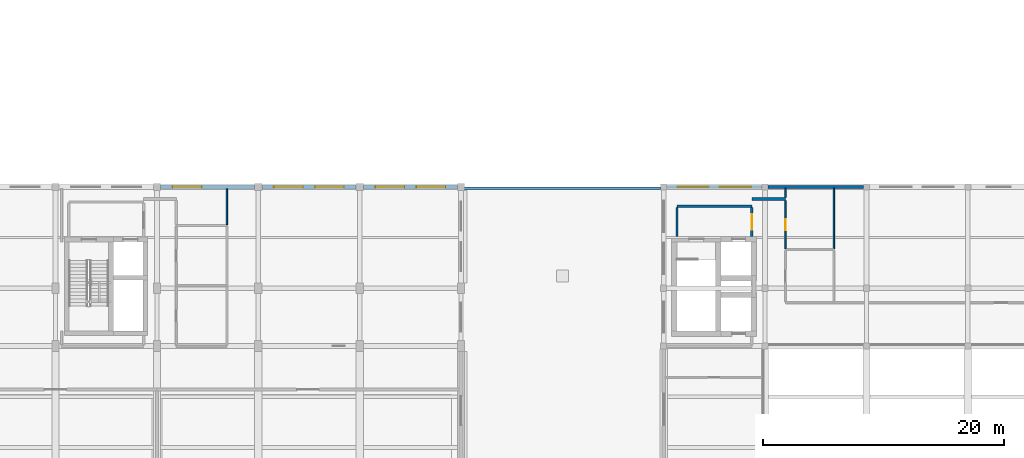
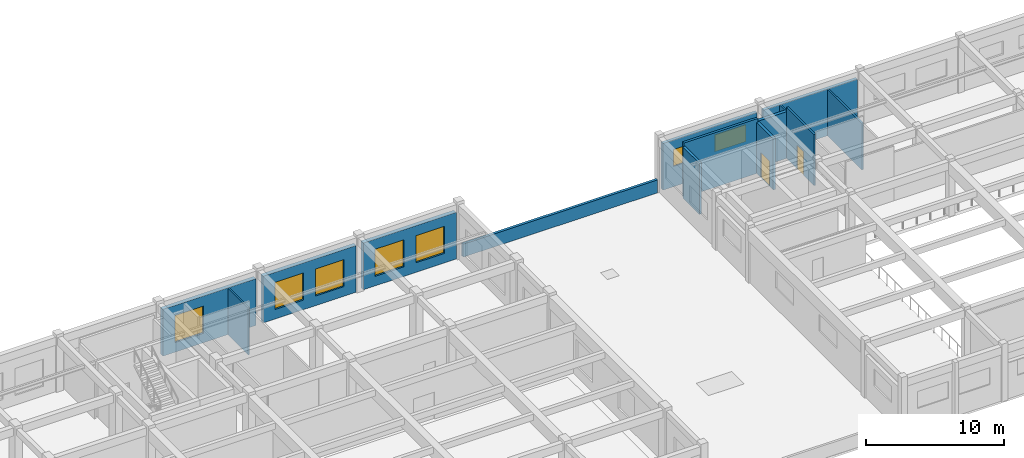
# One storey, part 61 of 77: 14 walls, 7 windows, 2 doors, 9 openings.
"""IFC4 building model written with IfcOpenShell, lengths in metres."""

from ifc_helpers import new_model, si_unit, direction, frame, frame_2d, origin, place, context, subcontext, project, spatial, rectangle, extrude, material, layer, layer_set, type_object, element, fill, save


model = new_model("IFC4")

# Units and contexts
model_context = context("Model", 3, precision=1e-05, world=origin(), true_north=direction((0.0, 1.0)))
body_context = subcontext(model_context, "Body", "Model", "MODEL_VIEW")
ifc_project = project(units=[si_unit("LENGTHUNIT", "METRE"), si_unit("AREAUNIT", "SQUARE_METRE"), si_unit("VOLUMEUNIT", "CUBIC_METRE"), si_unit("PLANEANGLEUNIT", "RADIAN"), si_unit("MASSUNIT", "GRAM", prefix="KILO")], contexts=[model_context])

# Site, building, storey
site_placement = place(None, origin())
site = spatial("IfcSite", under=ifc_project, at=site_placement, CompositionType="ELEMENT")
building_placement = place(site_placement, origin())
building = spatial("IfcBuilding", under=site, at=building_placement, Name="Krzemoval Escarpment Law Courts", CompositionType="ELEMENT")
storey_placement = place(building_placement, frame((0.0, 0.0, 15.300048828125)))
storey = spatial("IfcBuildingStorey", under=building, at=storey_placement, Name="L03", CompositionType="ELEMENT", Elevation=15.300048828125)

# Wall, openings, windows
ifc_material_1 = material(Name="Precast concrete C40/50", Category="concrete")
ifc_layer_1 = layer(ifc_material_1, 0.260009765625)
ifc_layer_set_1 = layer_set([ifc_layer_1], Name="Precast concrete C40/50")
wall_type_1 = type_object("IfcWallType", Name="WL-EXT-260", PredefinedType="SOLIDWALL", material=ifc_layer_set_1)
wall_1_placement = place(storey_placement, frame((109.449951171875, 35.39990234375, 0.0), z_axis=(0.0, 0.0, 1.0), x_axis=(1.0, 0.0, 0.0)))
wall_1 = element("IfcWall", 1, at=wall_1_placement, inside=storey, type_object=wall_type_1, Name="Exterior Wall EW-L03-0373", PredefinedType="SOLIDWALL", context=body_context, shape_type="SweptSolid", body=[
    extrude(rectangle(XDim=7.900146484375, YDim=0.260009765625, at=frame_2d((3.9501953125, 0.0))), origin(), (0.0, 0.0, 1.0), 4.139892578125),
])
opening_1_placement = place(wall_1_placement, frame((0.89990234375, 0.0, 1.800048828125)))
opening_1 = element("IfcOpeningElement", 2, at=opening_1_placement, cuts=wall_1, Name="Opening WN-L03-0428", PredefinedType="OPENING", context=body_context, shape_type="SweptSolid", body=[
    extrude(rectangle(XDim=2.60009765625, YDim=1.5, at=frame_2d((1.300048828125, 0.75))), frame((0.0, 0.145, 0.0), z_axis=(0.0, -1.0, 0.0), x_axis=(1.0, 0.0, 0.0)), (0.0, 0.0, 1.0), 0.29001),
])
opening_2_placement = place(wall_1_placement, frame((4.39990234375, 0.0, 1.800048828125)))
opening_2 = element("IfcOpeningElement", 3, at=opening_2_placement, cuts=wall_1, Name="Opening WN-L03-0429", PredefinedType="OPENING", context=body_context, shape_type="SweptSolid", body=[
    extrude(rectangle(XDim=2.60009765625, YDim=1.5, at=frame_2d((1.300048828125, 0.75))), frame((0.0, 0.145, 0.0), z_axis=(0.0, -1.0, 0.0), x_axis=(1.0, 0.0, 0.0)), (0.0, 0.0, 1.0), 0.29001),
])
ifc_material_2 = material(Name="Thermally Broken Aluminium Frame with Triple Low-E Acoustic Glass", Category="aluminium")
window_type_1 = type_object("IfcWindowType", Name="WN-2600x1500", PartitioningType="SINGLE_PANEL", PredefinedType="WINDOW", material=ifc_material_2)
window_1_placement = place(opening_1_placement, origin())
window_1 = element("IfcWindow", 4, at=window_1_placement, inside=storey, type_object=window_type_1, Name="Facade Window WN-L03-0428", OverallHeight=1.5, OverallWidth=2.60009765625, PartitioningType="SINGLE_PANEL", PredefinedType="WINDOW", context=body_context, shape_type="SweptSolid", body=[
    extrude(rectangle(XDim=2.60009765625, YDim=1.5, at=frame_2d((1.300048828125, 0.75))), frame((0.0, 0.030029296875, 0.0), z_axis=(0.0, -1.0, 0.0), x_axis=(1.0, 0.0, 0.0)), (0.0, 0.0, 1.0), 0.06005859375),
])
fill(opening_1, window_1)
window_2_placement = place(opening_2_placement, origin())
window_2 = element("IfcWindow", 5, at=window_2_placement, inside=storey, type_object=window_type_1, Name="Facade Window WN-L03-0429", OverallHeight=1.5, OverallWidth=2.60009765625, PartitioningType="SINGLE_PANEL", PredefinedType="WINDOW", context=body_context, shape_type="SweptSolid", body=[
    extrude(rectangle(XDim=2.60009765625, YDim=1.5, at=frame_2d((1.300048828125, 0.75))), frame((0.0, 0.030029296875, 0.0), z_axis=(0.0, -1.0, 0.0), x_axis=(1.0, 0.0, 0.0)), (0.0, 0.0, 1.0), 0.06005859375),
])
fill(opening_2, window_2)

# Wall
wall_2_placement = place(storey_placement, frame((117.85009765625, 35.39990234375, 0.0), z_axis=(0.0, 0.0, 1.0), x_axis=(1.0, 0.0, 0.0)))
element("IfcWall", 6, at=wall_2_placement, inside=storey, type_object=wall_type_1, Name="Exterior Wall EW-L03-0374", PredefinedType="SOLIDWALL", context=body_context, shape_type="SweptSolid", body=[
    extrude(rectangle(XDim=7.89990234375, YDim=0.260009765625, at=frame_2d((3.949951171875, 0.0))), origin(), (0.0, 0.0, 1.0), 4.139892578125),
])

# Wall, opening, window
ifc_material_3 = material(Name="Precast concrete C40/50", Category="concrete")
ifc_layer_2 = layer(ifc_material_3, 0.340087890625)
ifc_layer_set_2 = layer_set([ifc_layer_2], Name="Precast concrete C40/50")
wall_type_2 = type_object("IfcWallType", Name="WL-EXT-340", PredefinedType="SOLIDWALL", material=ifc_layer_set_2)
wall_3_placement = place(storey_placement, frame((67.5, 35.39990234375, 0.0), z_axis=(0.0, 0.0, 1.0), x_axis=(1.0, 0.0, 0.0)))
wall_3 = element("IfcWall", 7, at=wall_3_placement, inside=storey, type_object=wall_type_2, Name="Exterior Wall EW-L03-0338", PredefinedType="SOLIDWALL", context=body_context, shape_type="SweptSolid", body=[
    extrude(rectangle(XDim=7.800048828125, YDim=0.340087890625, at=frame_2d((3.89990234375, 0.0))), origin(), (0.0, 0.0, 1.0), 4.139892578125),
])
opening_3_placement = place(wall_3_placement, frame((1.0, 0.0, 0.85009765625)))
opening_3 = element("IfcOpeningElement", 8, at=opening_3_placement, cuts=wall_3, Name="Opening WN-L03-0371", PredefinedType="OPENING", context=body_context, shape_type="SweptSolid", body=[
    extrude(rectangle(XDim=2.39990234375, YDim=2.39990234375, at=frame_2d((1.199951171875, 1.199951171875))), frame((0.0, 0.18504, 0.0), z_axis=(0.0, -1.0, 0.0), x_axis=(1.0, 0.0, 0.0)), (0.0, 0.0, 1.0), 0.37009),
])
ifc_material_4 = material(Name="Thermally Broken Aluminium Frame with Triple Low-E Acoustic Glass", Category="aluminium")
window_type_2 = type_object("IfcWindowType", Name="WN-2400x2400", PartitioningType="SINGLE_PANEL", PredefinedType="WINDOW", material=ifc_material_4)
window_3_placement = place(opening_3_placement, origin())
window_3 = element("IfcWindow", 9, at=window_3_placement, inside=storey, type_object=window_type_2, Name="Facade Window WN-L03-0371", OverallHeight=2.39990234375, OverallWidth=2.39990234375, PartitioningType="SINGLE_PANEL", PredefinedType="WINDOW", context=body_context, shape_type="SweptSolid", body=[
    extrude(rectangle(XDim=2.39990234375, YDim=2.39990234375, at=frame_2d((1.199951171875, 1.199951171875))), frame((0.0, 0.030029296875, 0.0), z_axis=(0.0, -1.0, 0.0), x_axis=(1.0, 0.0, 0.0)), (0.0, 0.0, 1.0), 0.06005859375),
])
fill(opening_3, window_3)

# Wall, openings, windows
wall_4_placement = place(storey_placement, frame((75.89990234375, 35.39990234375, 0.0), z_axis=(0.0, 0.0, 1.0), x_axis=(1.0, 0.0, 0.0)))
wall_4 = element("IfcWall", 10, at=wall_4_placement, inside=storey, type_object=wall_type_2, Name="Exterior Wall EW-L03-0339", PredefinedType="SOLIDWALL", context=body_context, shape_type="SweptSolid", body=[
    extrude(rectangle(XDim=7.800048828125, YDim=0.340087890625, at=frame_2d((3.89990234375, 0.0))), origin(), (0.0, 0.0, 1.0), 4.139892578125),
])
opening_4_placement = place(wall_4_placement, frame((1.0, 0.0, 0.85009765625)))
opening_4 = element("IfcOpeningElement", 11, at=opening_4_placement, cuts=wall_4, Name="Opening WN-L03-0372", PredefinedType="OPENING", context=body_context, shape_type="SweptSolid", body=[
    extrude(rectangle(XDim=2.39990234375, YDim=2.39990234375, at=frame_2d((1.199951171875, 1.199951171875))), frame((0.0, 0.18504, 0.0), z_axis=(0.0, -1.0, 0.0), x_axis=(1.0, 0.0, 0.0)), (0.0, 0.0, 1.0), 0.37009),
])
opening_5_placement = place(wall_4_placement, frame((4.39990234375, 0.0, 0.85009765625)))
opening_5 = element("IfcOpeningElement", 12, at=opening_5_placement, cuts=wall_4, Name="Opening WN-L03-0373", PredefinedType="OPENING", context=body_context, shape_type="SweptSolid", body=[
    extrude(rectangle(XDim=2.39990234375, YDim=2.39990234375, at=frame_2d((1.199951171875, 1.199951171875))), frame((0.0, 0.18504, 0.0), z_axis=(0.0, -1.0, 0.0), x_axis=(1.0, 0.0, 0.0)), (0.0, 0.0, 1.0), 0.37009),
])
window_4_placement = place(opening_4_placement, origin())
window_4 = element("IfcWindow", 13, at=window_4_placement, inside=storey, type_object=window_type_2, Name="Facade Window WN-L03-0372", OverallHeight=2.39990234375, OverallWidth=2.39990234375, PartitioningType="SINGLE_PANEL", PredefinedType="WINDOW", context=body_context, shape_type="SweptSolid", body=[
    extrude(rectangle(XDim=2.39990234375, YDim=2.39990234375, at=frame_2d((1.199951171875, 1.199951171875))), frame((0.0, 0.030029296875, 0.0), z_axis=(0.0, -1.0, 0.0), x_axis=(1.0, 0.0, 0.0)), (0.0, 0.0, 1.0), 0.06005859375),
])
fill(opening_4, window_4)
window_5_placement = place(opening_5_placement, origin())
window_5 = element("IfcWindow", 14, at=window_5_placement, inside=storey, type_object=window_type_2, Name="Facade Window WN-L03-0373", OverallHeight=2.39990234375, OverallWidth=2.39990234375, PartitioningType="SINGLE_PANEL", PredefinedType="WINDOW", context=body_context, shape_type="SweptSolid", body=[
    extrude(rectangle(XDim=2.39990234375, YDim=2.39990234375, at=frame_2d((1.199951171875, 1.199951171875))), frame((0.0, 0.030029296875, 0.0), z_axis=(0.0, -1.0, 0.0), x_axis=(1.0, 0.0, 0.0)), (0.0, 0.0, 1.0), 0.06005859375),
])
fill(opening_5, window_5)

wall_5_placement = place(storey_placement, frame((84.300048828125, 35.39990234375, 0.0), z_axis=(0.0, 0.0, 1.0), x_axis=(1.0, 0.0, 0.0)))
wall_5 = element("IfcWall", 15, at=wall_5_placement, inside=storey, type_object=wall_type_2, Name="Exterior Wall EW-L03-0340", PredefinedType="SOLIDWALL", context=body_context, shape_type="SweptSolid", body=[
    extrude(rectangle(XDim=7.800048828125, YDim=0.340087890625, at=frame_2d((3.89990234375, 0.0))), origin(), (0.0, 0.0, 1.0), 4.139892578125),
])
opening_6_placement = place(wall_5_placement, frame((1.0, 0.0, 0.85009765625)))
opening_6 = element("IfcOpeningElement", 16, at=opening_6_placement, cuts=wall_5, Name="Opening WN-L03-0374", PredefinedType="OPENING", context=body_context, shape_type="SweptSolid", body=[
    extrude(rectangle(XDim=2.39990234375, YDim=2.39990234375, at=frame_2d((1.199951171875, 1.199951171875))), frame((0.0, 0.18504, 0.0), z_axis=(0.0, -1.0, 0.0), x_axis=(1.0, 0.0, 0.0)), (0.0, 0.0, 1.0), 0.37009),
])
opening_7_placement = place(wall_5_placement, frame((4.39990234375, 0.0, 0.85009765625)))
opening_7 = element("IfcOpeningElement", 17, at=opening_7_placement, cuts=wall_5, Name="Opening WN-L03-0375", PredefinedType="OPENING", context=body_context, shape_type="SweptSolid", body=[
    extrude(rectangle(XDim=2.39990234375, YDim=2.39990234375, at=frame_2d((1.199951171875, 1.199951171875))), frame((0.0, 0.18504, 0.0), z_axis=(0.0, -1.0, 0.0), x_axis=(1.0, 0.0, 0.0)), (0.0, 0.0, 1.0), 0.37009),
])
window_6_placement = place(opening_6_placement, origin())
window_6 = element("IfcWindow", 18, at=window_6_placement, inside=storey, type_object=window_type_2, Name="Facade Window WN-L03-0374", OverallHeight=2.39990234375, OverallWidth=2.39990234375, PartitioningType="SINGLE_PANEL", PredefinedType="WINDOW", context=body_context, shape_type="SweptSolid", body=[
    extrude(rectangle(XDim=2.39990234375, YDim=2.39990234375, at=frame_2d((1.199951171875, 1.199951171875))), frame((0.0, 0.030029296875, 0.0), z_axis=(0.0, -1.0, 0.0), x_axis=(1.0, 0.0, 0.0)), (0.0, 0.0, 1.0), 0.06005859375),
])
fill(opening_6, window_6)
window_7_placement = place(opening_7_placement, origin())
window_7 = element("IfcWindow", 19, at=window_7_placement, inside=storey, type_object=window_type_2, Name="Facade Window WN-L03-0375", OverallHeight=2.39990234375, OverallWidth=2.39990234375, PartitioningType="SINGLE_PANEL", PredefinedType="WINDOW", context=body_context, shape_type="SweptSolid", body=[
    extrude(rectangle(XDim=2.39990234375, YDim=2.39990234375, at=frame_2d((1.199951171875, 1.199951171875))), frame((0.0, 0.030029296875, 0.0), z_axis=(0.0, -1.0, 0.0), x_axis=(1.0, 0.0, 0.0)), (0.0, 0.0, 1.0), 0.06005859375),
])
fill(opening_7, window_7)

# Walls
ifc_material_5 = material(Name="Precast concrete C40/50", Category="concrete")
ifc_layer_3 = layer(ifc_material_5, 0.219970703125)
ifc_layer_set_3 = layer_set([ifc_layer_3], Name="Precast concrete C40/50")
wall_type_3 = type_object("IfcWallType", Name="WL-PAR-220", PredefinedType="PARAPET", material=ifc_layer_set_3)
wall_6_placement = place(storey_placement, frame((108.949951171875, 35.2900390625, 0.0), z_axis=(0.0, 0.0, 1.0), x_axis=(-1.0, 0.0, 0.0)))
element("IfcWall", 20, at=wall_6_placement, inside=storey, type_object=wall_type_3, Name="Roof Parapet PR-L03-018", PredefinedType="PARAPET", context=body_context, shape_type="SweptSolid", body=[
    extrude(rectangle(XDim=16.300048828125, YDim=0.219970703125, at=frame_2d((8.14990234375, 0.0))), origin(), (0.0, 0.0, 1.0), 1.14990234375),
])
ifc_material_6 = material(Name="Light Internal Subdivision Partition", Category="gypsum")
ifc_layer_4 = layer(ifc_material_6, 0.114990234375)
ifc_layer_set_4 = layer_set([ifc_layer_4], Name="Light Internal Subdivision Partition")
wall_type_4 = type_object("IfcWallType", Name="WL-PRT-115", PredefinedType="PARTITIONING", material=ifc_layer_set_4)
wall_7_placement = place(storey_placement, frame((73.0, 32.27197265625, 0.0), z_axis=(0.0, 0.0, 1.0), x_axis=(0.0, 1.0, 0.0)))
element("IfcWall", 21, at=wall_7_placement, inside=storey, type_object=wall_type_4, Name="Interior Partition PW-L03-0567", PredefinedType="PARTITIONING", context=body_context, shape_type="SweptSolid", body=[
    extrude(rectangle(XDim=2.9560546875, YDim=0.114990234375, at=frame_2d((1.47802734375, 0.0))), origin(), (0.0, 0.0, 1.0), 4.139892578125),
])

# Wall, opening, door
ifc_material_7 = material(Name="Sanitary Moisture-Resistant Partition", Category="gypsum")
ifc_layer_5 = layer(ifc_material_7, 0.139892578125)
ifc_layer_set_5 = layer_set([ifc_layer_5], Name="Sanitary Moisture-Resistant Partition")
wall_type_5 = type_object("IfcWallType", Name="WL-PRT-140", PredefinedType="PARTITIONING", material=ifc_layer_set_5)
wall_8_placement = place(storey_placement, frame((119.300048828125, 30.27197265625, 0.0), z_axis=(0.0, 0.0, 1.0), x_axis=(0.0, 1.0, 0.0)))
wall_8 = element("IfcWall", 22, at=wall_8_placement, inside=storey, type_object=wall_type_5, Name="Interior Partition PW-L03-0573", PredefinedType="PARTITIONING", context=body_context, shape_type="SweptSolid", body=[
    extrude(rectangle(XDim=3.99609375, YDim=0.139892578125, at=frame_2d((1.998046875, 0.0))), origin(), (0.0, 0.0, 1.0), 4.5400390625),
])
opening_8_placement = place(wall_8_placement, frame((1.548095703125, 0.0, 0.0)))
opening_8 = element("IfcOpeningElement", 23, at=opening_8_placement, cuts=wall_8, Name="Opening D-L03-0188", PredefinedType="OPENING", context=body_context, shape_type="SweptSolid", body=[
    extrude(rectangle(XDim=0.89990234375, YDim=2.10009765625, at=frame_2d((0.449951171875, 1.050048828125))), frame((0.0, 0.08495, 0.0), z_axis=(0.0, -1.0, 0.0), x_axis=(1.0, 0.0, 0.0)), (0.0, 0.0, 1.0), 0.16989),
])
ifc_material_8 = material(Name="Engineered Solid-Core Oak Acoustic Timber", Category="wood")
door_type_1 = type_object("IfcDoorType", Name="DR-INT-900x2100", OperationType="SINGLE_SWING_LEFT", PredefinedType="DOOR", material=ifc_material_8)
door_1_placement = place(opening_8_placement, origin())
door_1 = element("IfcDoor", 24, at=door_1_placement, inside=storey, type_object=door_type_1, Name="Room Door D-L03-0188", OperationType="SINGLE_SWING_LEFT", OverallHeight=2.10009765625, OverallWidth=0.89990234375, PredefinedType="DOOR", context=body_context, shape_type="SweptSolid", body=[
    extrude(rectangle(XDim=0.89990234375, YDim=2.10009765625, at=frame_2d((0.449951171875, 1.050048828125))), frame((0.0, 0.02490234375, 0.0), z_axis=(0.0, -1.0, 0.0), x_axis=(1.0, 0.0, 0.0)), (0.0, 0.0, 1.0), 0.050048828125),
])
fill(opening_8, door_1)

# Walls
wall_9_placement = place(storey_placement, frame((119.300048828125, 34.531982421875, 0.0), z_axis=(0.0, 0.0, 1.0), x_axis=(0.0, 1.0, 0.0)))
element("IfcWall", 25, at=wall_9_placement, inside=storey, type_object=wall_type_5, Name="Interior Partition PW-L03-0574", PredefinedType="PARTITIONING", context=body_context, shape_type="SweptSolid", body=[
    extrude(rectangle(XDim=0.736083984375, YDim=0.139892578125, at=frame_2d((0.3681640625, 0.0))), origin(), (0.0, 0.0, 1.0), 4.139892578125),
])
wall_10_placement = place(storey_placement, frame((123.300048828125, 30.27197265625, 0.0), z_axis=(0.0, 0.0, 1.0), x_axis=(0.0, 1.0, 0.0)))
element("IfcWall", 26, at=wall_10_placement, inside=storey, type_object=wall_type_5, Name="Interior Partition PW-L03-0576", PredefinedType="PARTITIONING", context=body_context, shape_type="SweptSolid", body=[
    extrude(rectangle(XDim=4.99609375, YDim=0.139892578125, at=frame_2d((2.498046875, 0.0))), origin(), (0.0, 0.0, 1.0), 4.139892578125),
])
ifc_material_9 = material(Name="Fire-Rated Corridor Partition Wall", Category="gypsum")
ifc_layer_6 = layer(ifc_material_9, 0.199951171875)
ifc_layer_set_6 = layer_set([ifc_layer_6], Name="Fire-Rated Corridor Partition Wall")
wall_type_6 = type_object("IfcWallType", Name="WL-PRT-200", PredefinedType="PARTITIONING", material=ifc_layer_set_6)
wall_11_placement = place(storey_placement, frame((110.300048828125, 33.800048828125, 0.0), z_axis=(0.0, 0.0, 1.0), x_axis=(1.0, 0.0, 0.0)))
element("IfcWall", 27, at=wall_11_placement, inside=storey, type_object=wall_type_6, Name="Interior Partition PW-L03-0504", PredefinedType="PARTITIONING", context=body_context, shape_type="SweptSolid", body=[
    extrude(rectangle(XDim=6.199951171875, YDim=0.199951171875, at=frame_2d((3.10009765625, 0.0))), origin(), (0.0, 0.0, 1.0), 4.83984375),
])
wall_12_placement = place(storey_placement, frame((110.300048828125, 31.302001953125, 0.0), z_axis=(0.0, 0.0, 1.0), x_axis=(0.0, 1.0, 0.0)))
element("IfcWall", 28, at=wall_12_placement, inside=storey, type_object=wall_type_6, Name="Interior Partition PW-L03-0568", PredefinedType="PARTITIONING", context=body_context, shape_type="SweptSolid", body=[
    extrude(rectangle(XDim=2.39599609375, YDim=0.199951171875, at=frame_2d((1.197998046875, 0.0))), origin(), (0.0, 0.0, 1.0), 4.5400390625),
])

# Wall, opening, door
wall_13_placement = place(storey_placement, frame((116.5, 31.302001953125, 0.0), z_axis=(0.0, 0.0, 1.0), x_axis=(0.0, 1.0, 0.0)))
wall_13 = element("IfcWall", 29, at=wall_13_placement, inside=storey, type_object=wall_type_6, Name="Interior Partition PW-L03-0569", PredefinedType="PARTITIONING", context=body_context, shape_type="SweptSolid", body=[
    extrude(rectangle(XDim=2.39599609375, YDim=0.199951171875, at=frame_2d((1.197998046875, 0.0))), origin(), (0.0, 0.0, 1.0), 4.5400390625),
])
opening_9_placement = place(wall_13_placement, frame((0.548095703125, 0.0, 0.0)))
opening_9 = element("IfcOpeningElement", 30, at=opening_9_placement, cuts=wall_13, Name="Opening D-L03-0170", PredefinedType="OPENING", context=body_context, shape_type="SweptSolid", body=[
    extrude(rectangle(XDim=1.300048828125, YDim=2.199951171875, at=frame_2d((0.64990234375, 1.10009765625))), frame((0.0, 0.11498, 0.0), z_axis=(0.0, -1.0, 0.0), x_axis=(1.0, 0.0, 0.0)), (0.0, 0.0, 1.0), 0.22995),
])
ifc_material_10 = material(Name="Galvanised Steel S355", Category="steel")
door_type_2 = type_object("IfcDoorType", Name="DR-STR-1300x2200", OperationType="SINGLE_SWING_LEFT", PredefinedType="DOOR", material=ifc_material_10)
door_2_placement = place(opening_9_placement, origin())
door_2 = element("IfcDoor", 31, at=door_2_placement, inside=storey, type_object=door_type_2, Name="Room Door D-L03-0170", OperationType="SINGLE_SWING_LEFT", OverallHeight=2.199951171875, OverallWidth=1.300048828125, PredefinedType="DOOR", context=body_context, shape_type="SweptSolid", body=[
    extrude(rectangle(XDim=1.300048828125, YDim=2.199951171875, at=frame_2d((0.64990234375, 1.10009765625))), frame((0.0, 0.02490234375, 0.0), z_axis=(0.0, -1.0, 0.0), x_axis=(1.0, 0.0, 0.0)), (0.0, 0.0, 1.0), 0.050048828125),
])
fill(opening_9, door_2)

# Wall
ifc_material_11 = material(Name="Acoustic Double-Stud Gypsum and Mineral Wool Wall", Category="gypsum")
ifc_layer_7 = layer(ifc_material_11, 0.260009765625)
ifc_layer_set_7 = layer_set([ifc_layer_7], Name="Acoustic Double-Stud Gypsum and Mineral Wool Wall")
wall_type_7 = type_object("IfcWallType", Name="WL-PRT-260", PredefinedType="PARTITIONING", material=ifc_layer_set_7)
wall_14_placement = place(storey_placement, frame((116.5, 34.39990234375, 0.0), z_axis=(0.0, 0.0, 1.0), x_axis=(1.0, 0.0, 0.0)))
element("IfcWall", 32, at=wall_14_placement, inside=storey, type_object=wall_type_7, Name="Interior Partition PW-L03-0507", PredefinedType="PARTITIONING", context=body_context, shape_type="SweptSolid", body=[
    extrude(rectangle(XDim=2.800048828125, YDim=0.260009765625, at=frame_2d((1.39990234375, 0.0))), origin(), (0.0, 0.0, 1.0), 4.139892578125),
])

save(model, "model.ifc")
